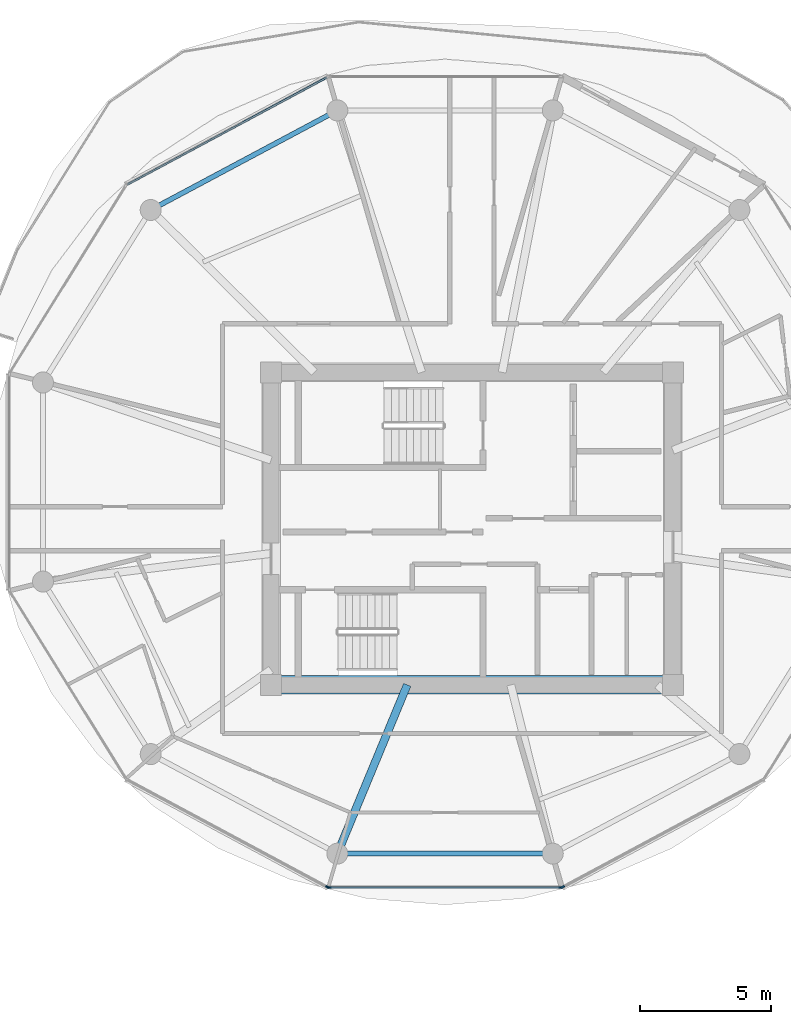
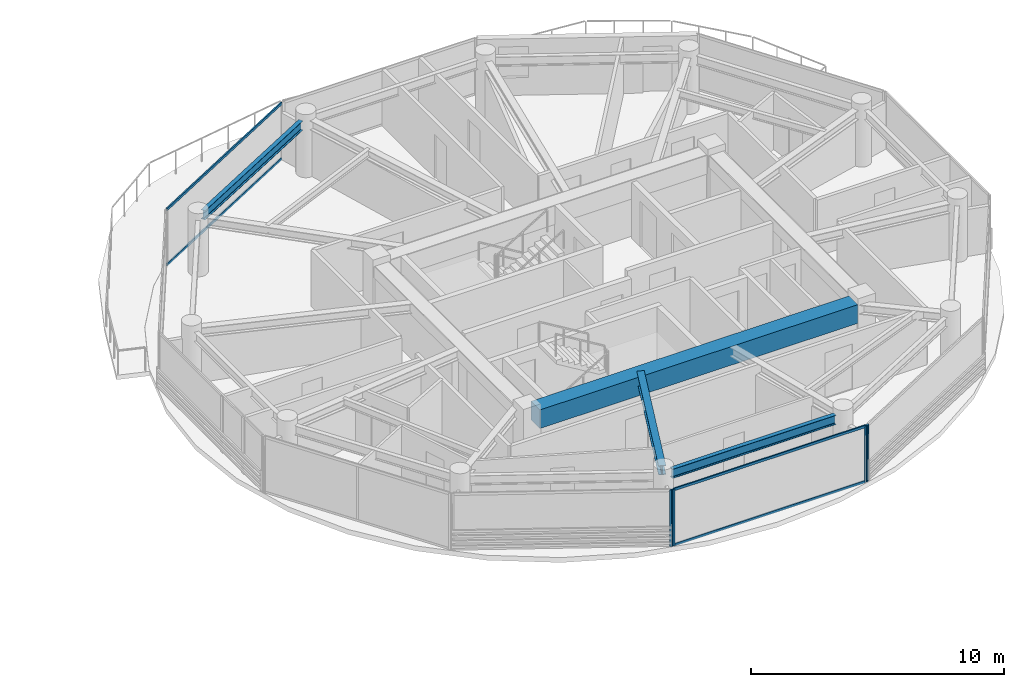
# One storey, part 8 of 22: 8 members, 4 beams, 4 elements without a shape of their own.
"""IFC4 building model written with IfcOpenShell, lengths in metres."""

from ifc_helpers import new_model, si_unit, direction, frame, origin, origin_2d, place, context, subcontext, project, spatial, rectangle, i_section, extrude, source, transform, mapped, material, layer, layer_set, material_profile, profile_set, type_object, type_shapes, element, aggregate, save


model = new_model("IFC4")

# Units and contexts
model_context = context("Model", 3, precision=1e-05, world=origin(), true_north=direction((0.0, 1.0)))
body_context = subcontext(model_context, "Body", "Model", "MODEL_VIEW")
ifc_project = project(units=[si_unit("LENGTHUNIT", "METRE"), si_unit("AREAUNIT", "SQUARE_METRE"), si_unit("VOLUMEUNIT", "CUBIC_METRE"), si_unit("PLANEANGLEUNIT", "RADIAN"), si_unit("MASSUNIT", "GRAM", prefix="KILO")], contexts=[model_context])

# Site, building, storey
site_placement = place(None, origin())
site = spatial("IfcSite", under=ifc_project, at=site_placement, CompositionType="ELEMENT")
building_placement = place(site_placement, origin())
building = spatial("IfcBuilding", under=site, at=building_placement, Name="Norrkilde Senior Care Towers", CompositionType="ELEMENT")
storey_placement = place(building_placement, frame((0.0, 0.0, 183.10009765625)))
storey = spatial("IfcBuildingStorey", under=building, at=storey_placement, Name="L57", CompositionType="ELEMENT", Elevation=183.10009765625)

# Beams
ifc_material_1 = material(Name="Concrete C60/75", Category="concrete")
ifc_material_profile_1 = material_profile(ifc_material_1, rectangle(XDim=0.699951171875, YDim=0.89990234375, at=origin_2d()), Name="RC BM 700x900")
ifc_profile_set_1 = profile_set([ifc_material_profile_1], Name="Concrete C60/75")
beam_type_1 = type_object("IfcBeamType", Name="Core Coupling Girder 700x900", PredefinedType="USERDEFINED", material=ifc_profile_set_1)
shared_shape_1 = source(origin(), body_context, "Body", "SweptSolid", [
    extrude(rectangle(XDim=0.699951171875, YDim=0.89990234375, at=origin_2d()), origin(), (0.0, 0.0, 1.0), 14.5400390625),
])
type_shapes(beam_type_1, [shared_shape_1])
beam_1_placement = place(storey_placement, frame((20.72998046875, -5.949951171875, 2.27978515625), z_axis=(1.0, 0.0, 0.0), x_axis=(0.0, 1.0, 0.0)))
element("IfcBeam", 1, at=beam_1_placement, inside=storey, type_object=beam_type_1, Name="L57 Core E S Coupling Girder", ObjectType="GIRDER", PredefinedType="USERDEFINED", context=body_context, shape_type="MappedRepresentation", body=[
    mapped(shared_shape_1, transform((0.0, 0.0, 0.0), x_axis=(1.0, 0.0, 0.0), y_axis=(0.0, 1.0, 0.0), z_axis=(0.0, 0.0, 1.0), scale=1.0)),
])
ifc_material_2 = material(Name="Steel S355", Category="steel")
ifc_material_profile_2 = material_profile(ifc_material_2, i_section(OverallWidth=0.18994140625, OverallDepth=0.449951171875, WebThickness=0.009521484375, FlangeThickness=0.0146484375, FilletRadius=0.02099609375, at=origin_2d()), Name="IPE 450")
ifc_profile_set_2 = profile_set([ifc_material_profile_2], Name="Steel S355")
beam_type_2 = type_object("IfcBeamType", Name="Perimeter Ring Spandrel Z3 IPE450", PredefinedType="SPANDREL", material=ifc_profile_set_2)
shared_shape_2 = source(origin(), body_context, "Body", "SweptSolid", [
    extrude(i_section(OverallWidth=0.18994140625, OverallDepth=0.449951171875, WebThickness=0.009521484375, FlangeThickness=0.0146484375, FilletRadius=0.02099609375, at=origin_2d()), origin(), (0.0, 0.0, 1.0), 7.333740234375),
])
beam_2_placement = place(storey_placement, frame((22.55517578125, 15.756591796875, 2.5048828125), z_axis=(-0.882247866069, -0.470785198172, 0.0), x_axis=(0.470785198172, -0.882247866069, 0.0)))
element("IfcBeam", 2, at=beam_2_placement, inside=storey, type_object=beam_type_2, Name="L57 Drum E Perimeter Spandrel 04", PredefinedType="SPANDREL", context=body_context, shape_type="MappedRepresentation", body=[
    mapped(shared_shape_2, transform((0.0, 0.0, 0.0), x_axis=(1.0, 0.0, 0.0), y_axis=(0.0, 1.0, 0.0), z_axis=(0.0, 0.0, 1.0), scale=1.0)),
])
shared_shape_3 = source(origin(), body_context, "Body", "SweptSolid", [
    extrude(i_section(OverallWidth=0.18994140625, OverallDepth=0.449951171875, WebThickness=0.009521484375, FlangeThickness=0.0146484375, FilletRadius=0.02099609375, at=origin_2d()), origin(), (0.0, 0.0, 1.0), 7.484619140625),
])
type_shapes(beam_type_2, [shared_shape_2, shared_shape_3])
beam_3_placement = place(storey_placement, frame((23.232666015625, -12.37548828125, 2.5048828125), z_axis=(1.0, 0.0, 0.0), x_axis=(0.0, 1.0, 0.0)))
element("IfcBeam", 3, at=beam_3_placement, inside=storey, type_object=beam_type_2, Name="L57 Drum E Perimeter Spandrel 09", PredefinedType="SPANDREL", context=body_context, shape_type="MappedRepresentation", body=[
    mapped(shared_shape_3, transform((0.0, 0.0, 0.0), x_axis=(1.0, 0.0, 0.0), y_axis=(0.0, 1.0, 0.0), z_axis=(0.0, 0.0, 1.0), scale=1.0)),
])
ifc_material_profile_3 = material_profile(ifc_material_2, i_section(OverallWidth=0.300048828125, OverallDepth=0.449951171875, WebThickness=0.013916015625, FlangeThickness=0.02587890625, FilletRadius=0.027099609375, at=origin_2d()), Name="HEB 450")
ifc_profile_set_3 = profile_set([ifc_material_profile_3], Name="Steel S355")
beam_type_3 = type_object("IfcBeamType", Name="Radial Floor Beam Z3 HEB450", PredefinedType="BEAM", material=ifc_profile_set_3)
shared_shape_4 = source(origin(), body_context, "Body", "SweptSolid", [
    extrude(i_section(OverallWidth=0.300048828125, OverallDepth=0.449951171875, WebThickness=0.013916015625, FlangeThickness=0.02587890625, FilletRadius=0.027099609375, at=origin_2d()), origin(), (0.0, 0.0, 1.0), 6.59521484375),
])
type_shapes(beam_type_3, [shared_shape_4])
beam_4_placement = place(storey_placement, frame((25.534912109375, -5.949951171875, 2.5048828125), z_axis=(-0.382761541363, -0.923847174836, 0.0), x_axis=(0.923847174836, -0.382761541363, 0.0)))
element("IfcBeam", 4, at=beam_4_placement, inside=storey, type_object=beam_type_3, Name="L57 Drum E Radial Floor Beam 09", PredefinedType="BEAM", context=body_context, shape_type="MappedRepresentation", body=[
    mapped(shared_shape_4, transform((0.0, 0.0, 0.0), x_axis=(1.0, 0.0, 0.0), y_axis=(0.0, 1.0, 0.0), z_axis=(0.0, 0.0, 1.0), scale=1.0)),
])

# Curtain wall, members
ifc_material_3 = material(Name="Triple Low-E Insulated Glazing", Category="glass")
ifc_layer = layer(ifc_material_3, 0.18994140625)
ifc_layer_set = layer_set([ifc_layer], Name="Triple Low-E Insulated Glazing")
curtain_wall_type = type_object("IfcCurtainWallType", Name="CW4 Zone 3 Senior Residence Curtain Wall", PredefinedType="NOTDEFINED", material=ifc_layer_set)
curtain_wall_1_placement = place(storey_placement, origin())
curtain_wall_1 = element("IfcCurtainWall", 5, at=curtain_wall_1_placement, inside=storey, type_object=curtain_wall_type, Name="L57 Drum E Curtain Wall 03", PredefinedType="NOTDEFINED")
ifc_material_4 = material(Name="Anodised Aluminium", Category="aluminium")
ifc_material_profile_4 = material_profile(ifc_material_4, rectangle(XDim=0.06005859375, YDim=0.1201171875, at=origin_2d()), Name="ALU TRAN 60x120")
ifc_profile_set_4 = profile_set([ifc_material_profile_4], Name="Anodised Aluminium")
member_type_1 = type_object("IfcMemberType", Name="Curtain Wall Transom Typical 60x120", PredefinedType="USERDEFINED", material=ifc_profile_set_4)
shared_shape_5 = source(origin(), body_context, "Body", "SweptSolid", [
    extrude(rectangle(XDim=0.06005859375, YDim=0.1201171875, at=origin_2d()), origin(), (0.0, 0.0, 1.0), 8.61181640625),
])
member_1_placement = place(storey_placement, frame((14.88427734375, 13.105712890625, 0.02978515625), z_axis=(0.880993991641, 0.473127452906, 0.0), x_axis=(-0.473127452906, 0.880993991641, 0.0)))
member_1 = element("IfcMember", 6, at=member_1_placement, type_object=member_type_1, Name="CW-4 transom 1.1", ObjectType="TRANSOM", PredefinedType="USERDEFINED", context=body_context, shape_type="MappedRepresentation", body=[
    mapped(shared_shape_5, transform((0.0, 0.0, 0.0), x_axis=(1.0, 0.0, 0.0), y_axis=(0.0, 1.0, 0.0), z_axis=(0.0, 0.0, 1.0), scale=1.0)),
])
member_2_placement = place(storey_placement, frame((14.88427734375, 13.105712890625, 2.699951171875), z_axis=(0.880993991641, 0.473127452906, 0.0), x_axis=(-0.473127452906, 0.880993991641, 0.0)))
member_2 = element("IfcMember", 7, at=member_2_placement, type_object=member_type_1, Name="CW-4 transom 1.2", ObjectType="TRANSOM", PredefinedType="USERDEFINED", context=body_context, shape_type="MappedRepresentation", body=[
    mapped(shared_shape_5, transform((0.0, 0.0, 0.0), x_axis=(1.0, 0.0, 0.0), y_axis=(0.0, 1.0, 0.0), z_axis=(0.0, 0.0, 1.0), scale=1.0)),
])
aggregate(curtain_wall_1, [member_1, member_2])

curtain_wall_2_placement = place(storey_placement, origin())
curtain_wall_2 = element("IfcCurtainWall", 8, at=curtain_wall_2_placement, inside=storey, type_object=curtain_wall_type, Name="L57 Drum E Curtain Wall 08", PredefinedType="NOTDEFINED")
shared_shape_6 = source(origin(), body_context, "Body", "SweptSolid", [
    extrude(rectangle(XDim=0.06005859375, YDim=0.1201171875, at=origin_2d()), origin(), (0.0, 0.0, 1.0), 8.762939453125),
])
type_shapes(member_type_1, [shared_shape_5, shared_shape_6])
member_3_placement = place(storey_placement, frame((31.3564453125, -13.66015625, 0.02978515625), z_axis=(-1.0, 0.0, 0.0), x_axis=(0.0, -1.0, 0.0)))
member_3 = element("IfcMember", 9, at=member_3_placement, type_object=member_type_1, Name="CW-4 transom 1.1", ObjectType="TRANSOM", PredefinedType="USERDEFINED", context=body_context, shape_type="MappedRepresentation", body=[
    mapped(shared_shape_6, transform((0.0, 0.0, 0.0), x_axis=(1.0, 0.0, 0.0), y_axis=(0.0, 1.0, 0.0), z_axis=(0.0, 0.0, 1.0), scale=1.0)),
])
member_4_placement = place(storey_placement, frame((31.3564453125, -13.66015625, 2.699951171875), z_axis=(-1.0, 0.0, 0.0), x_axis=(0.0, -1.0, 0.0)))
member_4 = element("IfcMember", 10, at=member_4_placement, type_object=member_type_1, Name="CW-4 transom 1.2", ObjectType="TRANSOM", PredefinedType="USERDEFINED", context=body_context, shape_type="MappedRepresentation", body=[
    mapped(shared_shape_6, transform((0.0, 0.0, 0.0), x_axis=(1.0, 0.0, 0.0), y_axis=(0.0, 1.0, 0.0), z_axis=(0.0, 0.0, 1.0), scale=1.0)),
])

# Curtain wall, member
curtain_wall_3_placement = place(storey_placement, origin())
curtain_wall_3 = element("IfcCurtainWall", 11, at=curtain_wall_3_placement, inside=storey, type_object=curtain_wall_type, Name="L57 Drum E Curtain Wall 07", PredefinedType="NOTDEFINED")
ifc_material_profile_5 = material_profile(ifc_material_4, rectangle(XDim=0.06494140625, YDim=0.14990234375, at=origin_2d()), Name="ALU MULL 65x150")
ifc_profile_set_5 = profile_set([ifc_material_profile_5], Name="Anodised Aluminium")
member_type_2 = type_object("IfcMemberType", Name="Curtain Wall Mullion Z3-Z4 65x150", PredefinedType="MULLION", material=ifc_profile_set_5)
shared_shape_7 = source(origin(), body_context, "Body", "SweptSolid", [
    extrude(rectangle(XDim=0.06494140625, YDim=0.14990234375, at=origin_2d()), origin(), (0.0, 0.0, 1.0), 2.72998046875),
])
type_shapes(member_type_2, [shared_shape_7])
member_5_placement = place(storey_placement, frame((22.499755859375, -13.644775390625, 0.0), z_axis=(0.0, 0.0, 1.0), x_axis=(-0.47311715104, -0.880999524059, 0.0)))
member_5 = element("IfcMember", 12, at=member_5_placement, type_object=member_type_2, Name="CW-4 mullion 1", PredefinedType="MULLION", context=body_context, shape_type="MappedRepresentation", body=[
    mapped(shared_shape_7, transform((0.0, 0.0, 0.0), x_axis=(1.0, 0.0, 0.0), y_axis=(0.0, 1.0, 0.0), z_axis=(0.0, 0.0, 1.0), scale=1.0)),
])
aggregate(curtain_wall_3, [member_5])

# Member
member_6_placement = place(storey_placement, frame((31.388916015625, -13.66015625, 0.0), z_axis=(0.0, 0.0, 1.0), x_axis=(0.0, -1.0, 0.0)))
member_6 = element("IfcMember", 13, at=member_6_placement, type_object=member_type_2, Name="CW-4 mullion 1", PredefinedType="MULLION", context=body_context, shape_type="MappedRepresentation", body=[
    mapped(shared_shape_7, transform((0.0, 0.0, 0.0), x_axis=(1.0, 0.0, 0.0), y_axis=(0.0, 1.0, 0.0), z_axis=(0.0, 0.0, 1.0), scale=1.0)),
])

member_7_placement = place(storey_placement, frame((22.56103515625, -13.66015625, 0.0), z_axis=(0.0, 0.0, 1.0), x_axis=(0.0, -1.0, 0.0)))
member_7 = element("IfcMember", 14, at=member_7_placement, type_object=member_type_2, Name="CW-4 mullion 2", PredefinedType="MULLION", context=body_context, shape_type="MappedRepresentation", body=[
    mapped(shared_shape_7, transform((0.0, 0.0, 0.0), x_axis=(1.0, 0.0, 0.0), y_axis=(0.0, 1.0, 0.0), z_axis=(0.0, 0.0, 1.0), scale=1.0)),
])

aggregate(curtain_wall_2, [member_6, member_7, member_3, member_4])

# Curtain wall, member
curtain_wall_4_placement = place(storey_placement, origin())
curtain_wall_4 = element("IfcCurtainWall", 15, at=curtain_wall_4_placement, inside=storey, type_object=curtain_wall_type, Name="L57 Drum E Curtain Wall 09", PredefinedType="NOTDEFINED")
member_8_placement = place(storey_placement, frame((31.4501953125, -13.644775390625, 0.0), z_axis=(0.0, 0.0, 1.0), x_axis=(0.47311715104, -0.880999524059, 0.0)))
member_8 = element("IfcMember", 16, at=member_8_placement, type_object=member_type_2, Name="CW-4 mullion 2", PredefinedType="MULLION", context=body_context, shape_type="MappedRepresentation", body=[
    mapped(shared_shape_7, transform((0.0, 0.0, 0.0), x_axis=(1.0, 0.0, 0.0), y_axis=(0.0, 1.0, 0.0), z_axis=(0.0, 0.0, 1.0), scale=1.0)),
])
aggregate(curtain_wall_4, [member_8])

save(model, "model.ifc")
